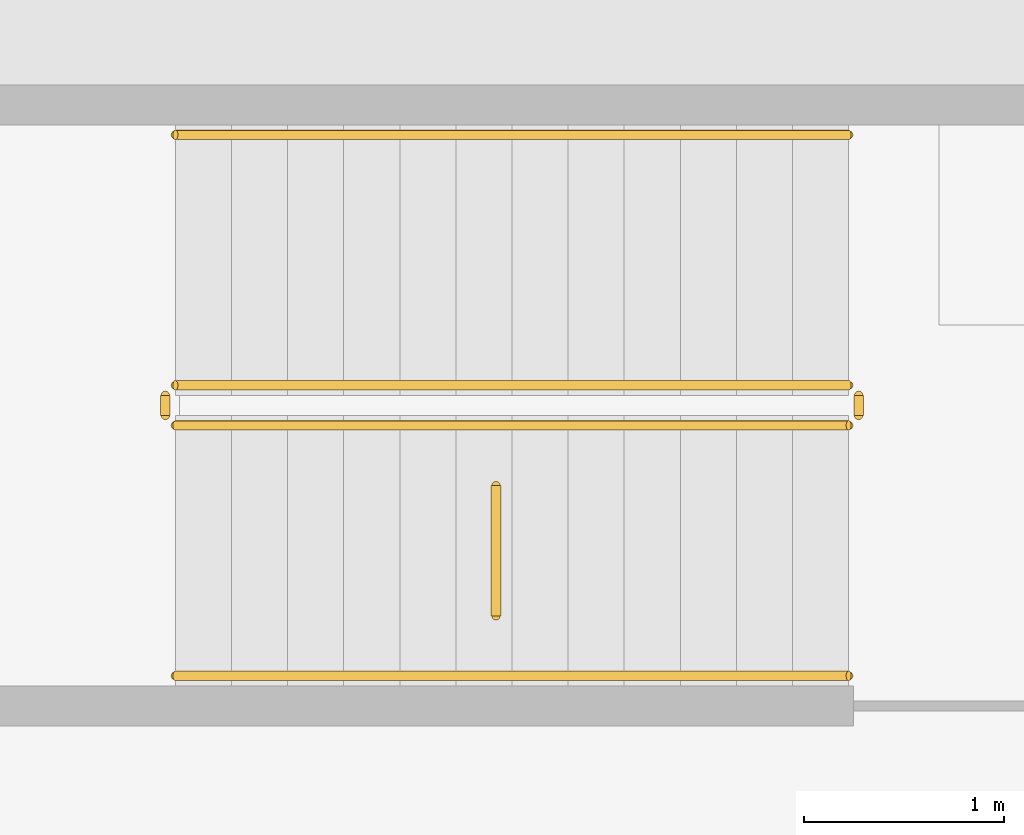
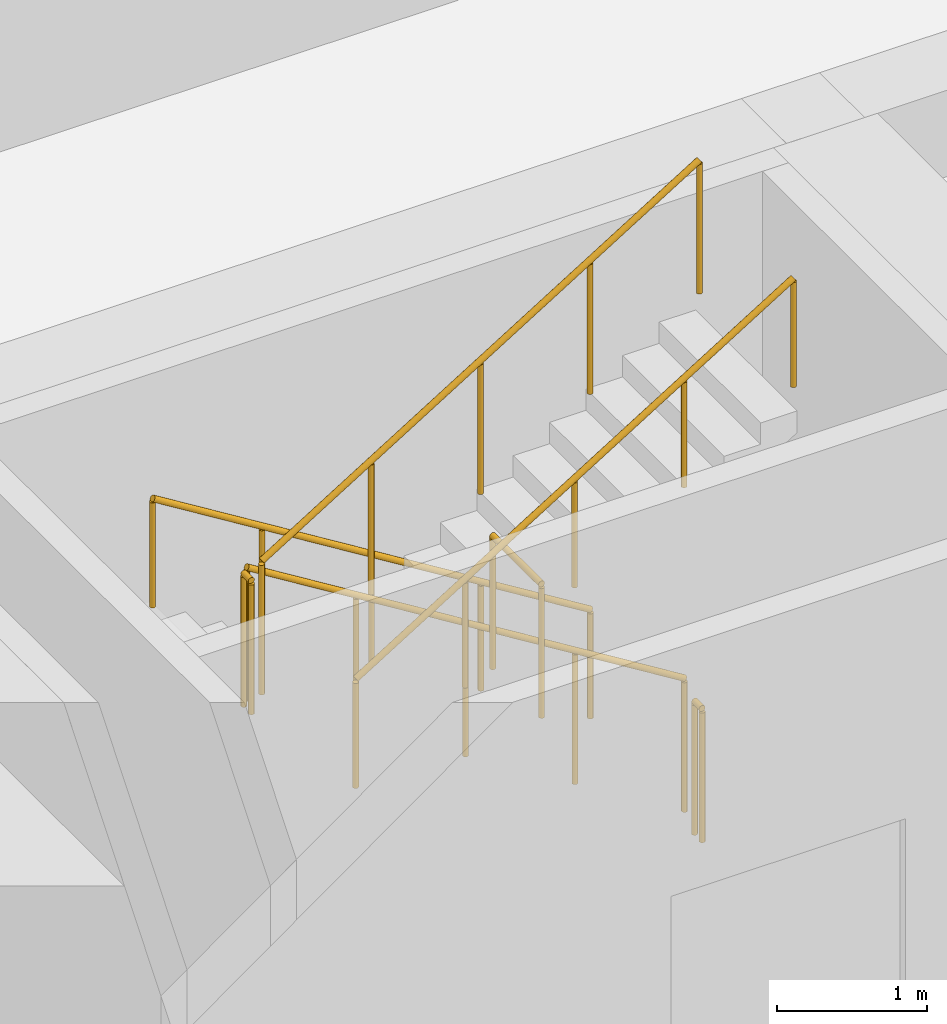
# One storey, part 22 of 25: 7 railings.
"""IFC4 building model written with IfcOpenShell, lengths in metres."""

from ifc_helpers import new_model, si_unit, direction, frame, origin, origin_2d, place, context, subcontext, project, spatial, circle, extrude, material, type_object, element, save


model = new_model("IFC4")

# Units and contexts
model_context = context("Model", 3, precision=1e-05, world=origin(), true_north=direction((0.0, 1.0)))
body_context = subcontext(model_context, "Body", "Model", "MODEL_VIEW")
ifc_project = project(units=[si_unit("LENGTHUNIT", "METRE"), si_unit("AREAUNIT", "SQUARE_METRE"), si_unit("VOLUMEUNIT", "CUBIC_METRE"), si_unit("PLANEANGLEUNIT", "RADIAN"), si_unit("MASSUNIT", "GRAM", prefix="KILO")], contexts=[model_context])

# Site, building, storey
site_placement = place(None, origin())
site = spatial("IfcSite", under=ifc_project, at=site_placement, CompositionType="ELEMENT")
building_placement = place(site_placement, origin())
building = spatial("IfcBuilding", under=site, at=building_placement, Name="Stone Belt Terrace Tower", CompositionType="ELEMENT")
storey_placement = place(building_placement, frame((0.0, 0.0, -13.5)))
storey = spatial("IfcBuildingStorey", under=building, at=storey_placement, Name="B3", CompositionType="ELEMENT", Elevation=-13.5)

# Railings
ifc_material_1 = material(Name="Structural steel C345", Category="steel")
railing_type_1 = type_object("IfcRailingType", Name="Car park guard 1100", PredefinedType="GUARDRAIL", material=ifc_material_1)
railing_1_placement = place(storey_placement, frame((22.35009765625, -3.60009765625, 0.173095703125)))
element("IfcRailing", 1, at=railing_1_placement, inside=storey, type_object=railing_type_1, Name="B3 CS4 stair guard 1", PredefinedType="GUARDRAIL", context=body_context, shape_type="SweptSolid", body=[
    extrude(circle(Radius=0.02392578125, at=origin_2d()), frame((0.0, 0.0, 1.076171875), z_axis=(-0.850623216509, 0.0, 0.525775754039), x_axis=(0.0, -1.0, 0.0)), (0.0, 0.0, 1.0), 3.9501953125),
    extrude(circle(Radius=0.02099609375, at=origin_2d()), origin(), (0.0, 0.0, 1.0), 1.052001953125),
    extrude(circle(Radius=0.02099609375, at=origin_2d()), frame((-0.840087890625, 0.0, 0.519287109375)), (0.0, 0.0, 1.0), 1.052001953125),
    extrude(circle(Radius=0.02099609375, at=origin_2d()), frame((-1.68017578125, 0.0, 1.03857421875)), (0.0, 0.0, 1.0), 1.052001953125),
    extrude(circle(Radius=0.02099609375, at=origin_2d()), frame((-2.52001953125, 0.0, 1.5576171875)), (0.0, 0.0, 1.0), 1.052001953125),
    extrude(circle(Radius=0.02099609375, at=origin_2d()), frame((-3.360107421875, 0.0, 2.076904296875)), (0.0, 0.0, 1.0), 1.052001953125),
])
railing_2_placement = place(storey_placement, frame((18.93994140625, -3.64990234375, 2.25)))
element("IfcRailing", 2, at=railing_2_placement, inside=storey, type_object=railing_type_1, Name="B3 CS4 stair guard 2", PredefinedType="GUARDRAIL", context=body_context, shape_type="SweptSolid", body=[
    extrude(circle(Radius=0.02392578125, at=origin_2d()), frame((0.0, 0.0, 1.076171875), z_axis=(0.0, -1.0, 0.0), x_axis=(1.0, 0.0, 0.0)), (0.0, 0.0, 1.0), 0.10009765625),
    extrude(circle(Radius=0.02099609375, at=origin_2d()), origin(), (0.0, 0.0, 1.0), 1.052001953125),
    extrude(circle(Radius=0.02099609375, at=origin_2d()), frame((0.0, -0.10009765625, 0.0)), (0.0, 0.0, 1.0), 1.052001953125),
])
railing_3_placement = place(storey_placement, frame((18.989990234375, -3.800048828125, 2.423095703125)))
element("IfcRailing", 3, at=railing_3_placement, inside=storey, type_object=railing_type_1, Name="B3 CS4 stair guard 3", PredefinedType="GUARDRAIL", context=body_context, shape_type="SweptSolid", body=[
    extrude(circle(Radius=0.02392578125, at=origin_2d()), frame((0.0, 0.0, 1.076171875), z_axis=(0.850623216509, 0.0, 0.525775754039), x_axis=(0.0, 1.0, 0.0)), (0.0, 0.0, 1.0), 3.9501953125),
    extrude(circle(Radius=0.02099609375, at=origin_2d()), origin(), (0.0, 0.0, 1.0), 1.052001953125),
    extrude(circle(Radius=0.02099609375, at=origin_2d()), frame((0.840087890625, 0.0, 0.519287109375)), (0.0, 0.0, 1.0), 1.052001953125),
    extrude(circle(Radius=0.02099609375, at=origin_2d()), frame((1.68017578125, 0.0, 1.03857421875)), (0.0, 0.0, 1.0), 1.052001953125),
    extrude(circle(Radius=0.02099609375, at=origin_2d()), frame((2.52001953125, 0.0, 1.5576171875)), (0.0, 0.0, 1.0), 1.052001953125),
    extrude(circle(Radius=0.02099609375, at=origin_2d()), frame((3.360107421875, 0.0, 2.076904296875)), (0.0, 0.0, 1.0), 1.052001953125),
])
railing_4_placement = place(storey_placement, frame((22.39990234375, -3.64990234375, 0.0)))
element("IfcRailing", 4, at=railing_4_placement, inside=storey, type_object=railing_type_1, Name="B3 CS4 stair guard 4", PredefinedType="GUARDRAIL", context=body_context, shape_type="SweptSolid", body=[
    extrude(circle(Radius=0.02392578125, at=origin_2d()), frame((0.0, 0.0, 1.076171875), z_axis=(0.0, -1.0, 0.0), x_axis=(1.0, 0.0, 0.0)), (0.0, 0.0, 1.0), 0.10009765625),
    extrude(circle(Radius=0.02099609375, at=origin_2d()), origin(), (0.0, 0.0, 1.0), 1.052001953125),
    extrude(circle(Radius=0.02099609375, at=origin_2d()), frame((0.0, -0.10009765625, 0.0)), (0.0, 0.0, 1.0), 1.052001953125),
])
railing_5_placement = place(storey_placement, frame((20.590087890625, -4.75, 2.25)))
element("IfcRailing", 5, at=railing_5_placement, inside=storey, type_object=railing_type_1, Name="Car park stair landing guard", PredefinedType="GUARDRAIL", context=body_context, shape_type="SweptSolid", body=[
    extrude(circle(Radius=0.02392578125, at=origin_2d()), frame((0.0, 0.0, 1.076171875), z_axis=(0.0, 1.0, 0.0), x_axis=(-1.0, 0.0, 0.0)), (0.0, 0.0, 1.0), 0.64990234375),
    extrude(circle(Radius=0.02099609375, at=origin_2d()), origin(), (0.0, 0.0, 1.0), 1.052001953125),
    extrude(circle(Radius=0.02099609375, at=origin_2d()), frame((0.0, 0.64990234375, 0.0)), (0.0, 0.0, 1.0), 1.052001953125),
])
ifc_material_2 = material(Name="Stainless steel", Category="steel")
railing_type_2 = type_object("IfcRailingType", Name="Car park handrail 900", PredefinedType="HANDRAIL", material=ifc_material_2)
railing_6_placement = place(storey_placement, frame((22.35009765625, -2.35009765625, 0.173095703125)))
element("IfcRailing", 6, at=railing_6_placement, inside=storey, type_object=railing_type_2, Name="B3 CS4 stair handrail 1", PredefinedType="HANDRAIL", context=body_context, shape_type="SweptSolid", body=[
    extrude(circle(Radius=0.02392578125, at=origin_2d()), frame((0.0, 0.0, 0.8759765625), z_axis=(-0.850623216509, 0.0, 0.525775754039), x_axis=(0.0, -1.0, 0.0)), (0.0, 0.0, 1.0), 3.9501953125),
    extrude(circle(Radius=0.02099609375, at=origin_2d()), origin(), (0.0, 0.0, 1.0), 0.851806640625),
    extrude(circle(Radius=0.02099609375, at=origin_2d()), frame((-0.840087890625, 0.0, 0.519287109375)), (0.0, 0.0, 1.0), 0.851806640625),
    extrude(circle(Radius=0.02099609375, at=origin_2d()), frame((-1.68017578125, 0.0, 1.03857421875)), (0.0, 0.0, 1.0), 0.851806640625),
    extrude(circle(Radius=0.02099609375, at=origin_2d()), frame((-2.52001953125, 0.0, 1.5576171875)), (0.0, 0.0, 1.0), 0.851806640625),
    extrude(circle(Radius=0.02099609375, at=origin_2d()), frame((-3.360107421875, 0.0, 2.076904296875)), (0.0, 0.0, 1.0), 0.851806640625),
])
railing_7_placement = place(storey_placement, frame((18.989990234375, -5.050048828125, 2.423095703125)))
element("IfcRailing", 7, at=railing_7_placement, inside=storey, type_object=railing_type_2, Name="B3 CS4 stair handrail 2", PredefinedType="HANDRAIL", context=body_context, shape_type="SweptSolid", body=[
    extrude(circle(Radius=0.02392578125, at=origin_2d()), frame((0.0, 0.0, 0.8759765625), z_axis=(0.850623216509, 0.0, 0.525775754039), x_axis=(0.0, 1.0, 0.0)), (0.0, 0.0, 1.0), 3.9501953125),
    extrude(circle(Radius=0.02099609375, at=origin_2d()), origin(), (0.0, 0.0, 1.0), 0.851806640625),
    extrude(circle(Radius=0.02099609375, at=origin_2d()), frame((0.840087890625, 0.0, 0.519287109375)), (0.0, 0.0, 1.0), 0.851806640625),
    extrude(circle(Radius=0.02099609375, at=origin_2d()), frame((1.68017578125, 0.0, 1.03857421875)), (0.0, 0.0, 1.0), 0.851806640625),
    extrude(circle(Radius=0.02099609375, at=origin_2d()), frame((2.52001953125, 0.0, 1.5576171875)), (0.0, 0.0, 1.0), 0.851806640625),
    extrude(circle(Radius=0.02099609375, at=origin_2d()), frame((3.360107421875, 0.0, 2.076904296875)), (0.0, 0.0, 1.0), 0.851806640625),
])

save(model, "model.ifc")
